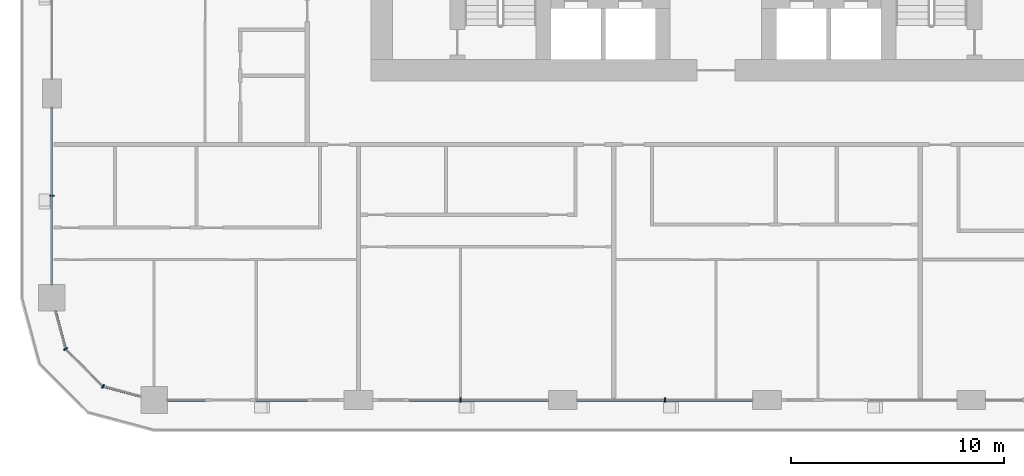
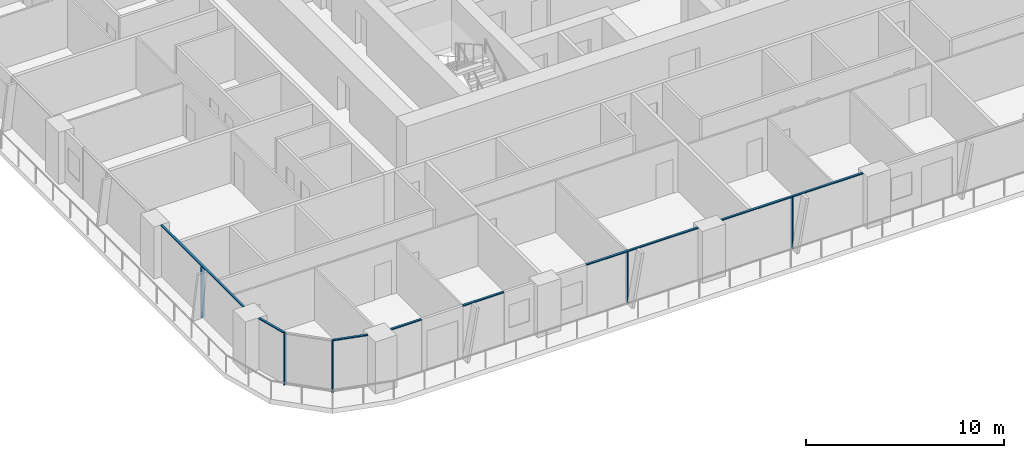
# One storey, part 2 of 21: 12 members, 5 elements without a shape of their own.
"""IFC4 building model written with IfcOpenShell, lengths in metres."""

from ifc_helpers import new_model, si_unit, direction, frame, origin, origin_2d, place, context, subcontext, project, spatial, rectangle, extrude, material, layer, layer_set, material_profile, profile_set, type_object, element, aggregate, save


model = new_model("IFC4")

# Units and contexts
model_context = context("Model", 3, precision=1e-05, world=origin(), true_north=direction((0.0, 1.0)))
body_context = subcontext(model_context, "Body", "Model", "MODEL_VIEW")
ifc_project = project(units=[si_unit("LENGTHUNIT", "METRE"), si_unit("AREAUNIT", "SQUARE_METRE"), si_unit("VOLUMEUNIT", "CUBIC_METRE"), si_unit("PLANEANGLEUNIT", "RADIAN"), si_unit("MASSUNIT", "GRAM", prefix="KILO")], contexts=[model_context])

# Site, building, storey
site_placement = place(None, origin())
site = spatial("IfcSite", under=ifc_project, at=site_placement, CompositionType="ELEMENT")
building_placement = place(site_placement, origin())
building = spatial("IfcBuilding", under=site, at=building_placement, Name="Madar Terraces", CompositionType="ELEMENT")
storey_placement = place(building_placement, frame((0.0, 0.0, 46.89990234375)))
storey = spatial("IfcBuildingStorey", under=building, at=storey_placement, Name="L11", CompositionType="ELEMENT", Elevation=46.89990234375)

# Curtain wall, member
ifc_material_1 = material(Name="Glass, ceramic frit dark grey, with black aluminium frame", Category="aluminium")
ifc_layer = layer(ifc_material_1, 0.199951171875)
ifc_layer_set = layer_set([ifc_layer], Name="Facade curtain wall, fritted glass")
curtain_wall_type = type_object("IfcCurtainWallType", Name="Facade curtain wall, fritted glass", PredefinedType="NOTDEFINED", material=ifc_layer_set)
curtain_wall_1_placement = place(storey_placement, origin())
curtain_wall_1 = element("IfcCurtainWall", 1, at=curtain_wall_1_placement, inside=storey, type_object=curtain_wall_type, Name="Outer skin curtain wall south bay 2", PredefinedType="NOTDEFINED")
ifc_material_2 = material(Name="Aluminium, black anodised", Category="aluminium")
ifc_material_profile_1 = material_profile(ifc_material_2, rectangle(XDim=0.199951171875, YDim=0.06005859375, at=origin_2d()), Name="Facade mullion 60x200")
ifc_profile_set_1 = profile_set([ifc_material_profile_1], Name="Aluminium, black anodised")
member_type_1 = type_object("IfcMemberType", Name="Facade mullion 60x200", PredefinedType="MULLION", material=ifc_profile_set_1)
member_1_placement = place(storey_placement, frame((19.199951171875, 0.0, 0.0), z_axis=(0.0, 0.0, 1.0), x_axis=(0.0, 1.0, 0.0)))
member_1 = element("IfcMember", 2, at=member_1_placement, type_object=member_type_1, Name="Mullion 1", PredefinedType="MULLION", context=body_context, shape_type="SweptSolid", body=[
    extrude(rectangle(XDim=0.199951171875, YDim=0.06005859375, at=origin_2d()), origin(), (0.0, 0.0, 1.0), 3.14013671875),
])

curtain_wall_2_placement = place(storey_placement, origin())
curtain_wall_2 = element("IfcCurtainWall", 3, at=curtain_wall_2_placement, inside=storey, type_object=curtain_wall_type, Name="Outer skin curtain wall south bay 3", PredefinedType="NOTDEFINED")
member_2_placement = place(storey_placement, frame((28.800048828125, 0.0, 0.0), z_axis=(0.0, 0.0, 1.0), x_axis=(0.0, 1.0, 0.0)))
member_2 = element("IfcMember", 4, at=member_2_placement, type_object=member_type_1, Name="Mullion 1", PredefinedType="MULLION", context=body_context, shape_type="SweptSolid", body=[
    extrude(rectangle(XDim=0.199951171875, YDim=0.06005859375, at=origin_2d()), origin(), (0.0, 0.0, 1.0), 3.14013671875),
])

curtain_wall_3_placement = place(storey_placement, origin())
curtain_wall_3 = element("IfcCurtainWall", 5, at=curtain_wall_3_placement, inside=storey, type_object=curtain_wall_type, Name="Outer skin curtain wall west bay 4", PredefinedType="NOTDEFINED")
member_3_placement = place(storey_placement, frame((0.0, 9.60009765625, 0.0), z_axis=(0.0, 0.0, 1.0), x_axis=(1.0, 0.0, 0.0)))
member_3 = element("IfcMember", 6, at=member_3_placement, type_object=member_type_1, Name="Mullion 1", PredefinedType="MULLION", context=body_context, shape_type="SweptSolid", body=[
    extrude(rectangle(XDim=0.199951171875, YDim=0.06005859375, at=origin_2d()), origin(), (0.0, 0.0, 1.0), 3.14013671875),
])

# Curtain wall, members
curtain_wall_4_placement = place(storey_placement, origin())
curtain_wall_4 = element("IfcCurtainWall", 7, at=curtain_wall_4_placement, inside=storey, type_object=curtain_wall_type, Name="Outer skin curtain wall south-west corner", PredefinedType="NOTDEFINED")
member_4_placement = place(storey_placement, frame((0.64306640625, 2.39990234375, 0.0), z_axis=(0.0, 0.0, 1.0), x_axis=(0.866025409797, 0.499999989586, 0.0)))
member_4 = element("IfcMember", 8, at=member_4_placement, type_object=member_type_1, Name="Mullion 1", PredefinedType="MULLION", context=body_context, shape_type="SweptSolid", body=[
    extrude(rectangle(XDim=0.199951171875, YDim=0.06005859375, at=origin_2d()), origin(), (0.0, 0.0, 1.0), 3.14013671875),
])
member_5_placement = place(storey_placement, frame((2.39990234375, 0.64306640625, 0.0), z_axis=(0.0, 0.0, 1.0), x_axis=(0.499999989586, 0.866025409797, 0.0)))
member_5 = element("IfcMember", 9, at=member_5_placement, type_object=member_type_1, Name="Mullion 2", PredefinedType="MULLION", context=body_context, shape_type="SweptSolid", body=[
    extrude(rectangle(XDim=0.199951171875, YDim=0.06005859375, at=origin_2d()), origin(), (0.0, 0.0, 1.0), 3.14013671875),
])

curtain_wall_5_placement = place(storey_placement, origin())
curtain_wall_5 = element("IfcCurtainWall", 10, at=curtain_wall_5_placement, inside=storey, type_object=curtain_wall_type, Name="Outer skin curtain wall south bay 1", PredefinedType="NOTDEFINED")
ifc_material_3 = material(Name="Aluminium, black anodised", Category="aluminium")
ifc_material_profile_2 = material_profile(ifc_material_3, rectangle(XDim=0.1201171875, YDim=0.06005859375, at=origin_2d()), Name="Facade transom 60x120")
ifc_profile_set_2 = profile_set([ifc_material_profile_2], Name="Aluminium, black anodised")
member_type_2 = type_object("IfcMemberType", Name="Facade transom 60x120", PredefinedType="USERDEFINED", material=ifc_profile_set_2)
member_6_placement = place(storey_placement, frame((5.425048828125, 0.0, 3.170166015625), z_axis=(1.0, 0.0, 0.0), x_axis=(0.0, 1.0, 0.0)))
member_6 = element("IfcMember", 11, at=member_6_placement, type_object=member_type_2, Name="Transom 1", ObjectType="TRANSOM", PredefinedType="USERDEFINED", context=body_context, shape_type="SweptSolid", body=[
    extrude(rectangle(XDim=0.1201171875, YDim=0.06005859375, at=origin_2d()), origin(), (0.0, 0.0, 1.0), 1.77490234375),
])
member_7_placement = place(storey_placement, frame((9.60009765625, 0.0, 3.170166015625), z_axis=(1.0, 0.0, 0.0), x_axis=(0.0, 1.0, 0.0)))
member_7 = element("IfcMember", 12, at=member_7_placement, type_object=member_type_2, Name="Transom 2", ObjectType="TRANSOM", PredefinedType="USERDEFINED", context=body_context, shape_type="SweptSolid", body=[
    extrude(rectangle(XDim=0.1201171875, YDim=0.06005859375, at=origin_2d()), origin(), (0.0, 0.0, 1.0), 2.39990234375),
])
aggregate(curtain_wall_5, [member_6, member_7])

# Member
member_8_placement = place(storey_placement, frame((16.800048828125, 0.0, 3.170166015625), z_axis=(1.0, 0.0, 0.0), x_axis=(0.0, 1.0, 0.0)))
member_8 = element("IfcMember", 13, at=member_8_placement, type_object=member_type_2, Name="Transom 1", ObjectType="TRANSOM", PredefinedType="USERDEFINED", context=body_context, shape_type="SweptSolid", body=[
    extrude(rectangle(XDim=0.1201171875, YDim=0.06005859375, at=origin_2d()), origin(), (0.0, 0.0, 1.0), 6.52490234375),
])

aggregate(curtain_wall_1, [member_1, member_8])

member_9_placement = place(storey_placement, frame((24.675048828125, 0.0, 3.170166015625), z_axis=(1.0, 0.0, 0.0), x_axis=(0.0, 1.0, 0.0)))
member_9 = element("IfcMember", 14, at=member_9_placement, type_object=member_type_2, Name="Transom 1", ObjectType="TRANSOM", PredefinedType="USERDEFINED", context=body_context, shape_type="SweptSolid", body=[
    extrude(rectangle(XDim=0.1201171875, YDim=0.06005859375, at=origin_2d()), origin(), (0.0, 0.0, 1.0), 8.25),
])

aggregate(curtain_wall_2, [member_2, member_9])

member_10_placement = place(storey_placement, frame((0.0, 13.72509765625, 3.170166015625), z_axis=(0.0, -1.0, 0.0), x_axis=(1.0, 0.0, 0.0)))
member_10 = element("IfcMember", 15, at=member_10_placement, type_object=member_type_2, Name="Transom 1", ObjectType="TRANSOM", PredefinedType="USERDEFINED", context=body_context, shape_type="SweptSolid", body=[
    extrude(rectangle(XDim=0.1201171875, YDim=0.06005859375, at=origin_2d()), origin(), (0.0, 0.0, 1.0), 8.300048828125),
])

aggregate(curtain_wall_3, [member_3, member_10])

member_11_placement = place(storey_placement, frame((0.16748046875, 4.175048828125, 3.170166015625), z_axis=(0.258772089929, -0.965938406667, 0.0), x_axis=(0.965938406667, 0.258772089929, 0.0)))
member_11 = element("IfcMember", 16, at=member_11_placement, type_object=member_type_2, Name="Transom 1", ObjectType="TRANSOM", PredefinedType="USERDEFINED", context=body_context, shape_type="SweptSolid", body=[
    extrude(rectangle(XDim=0.1201171875, YDim=0.06005859375, at=origin_2d()), origin(), (0.0, 0.0, 1.0), 1.8076171875),
])

member_12_placement = place(storey_placement, frame((2.428955078125, 0.63525390625, 3.170166015625), z_axis=(0.965938406667, -0.258772089929, 0.0), x_axis=(0.258772089929, 0.965938406667, 0.0)))
member_12 = element("IfcMember", 17, at=member_12_placement, type_object=member_type_2, Name="Transom 3", ObjectType="TRANSOM", PredefinedType="USERDEFINED", context=body_context, shape_type="SweptSolid", body=[
    extrude(rectangle(XDim=0.1201171875, YDim=0.06005859375, at=origin_2d()), origin(), (0.0, 0.0, 1.0), 1.8076171875),
])

aggregate(curtain_wall_4, [member_4, member_11, member_5, member_12])

save(model, "model.ifc")
